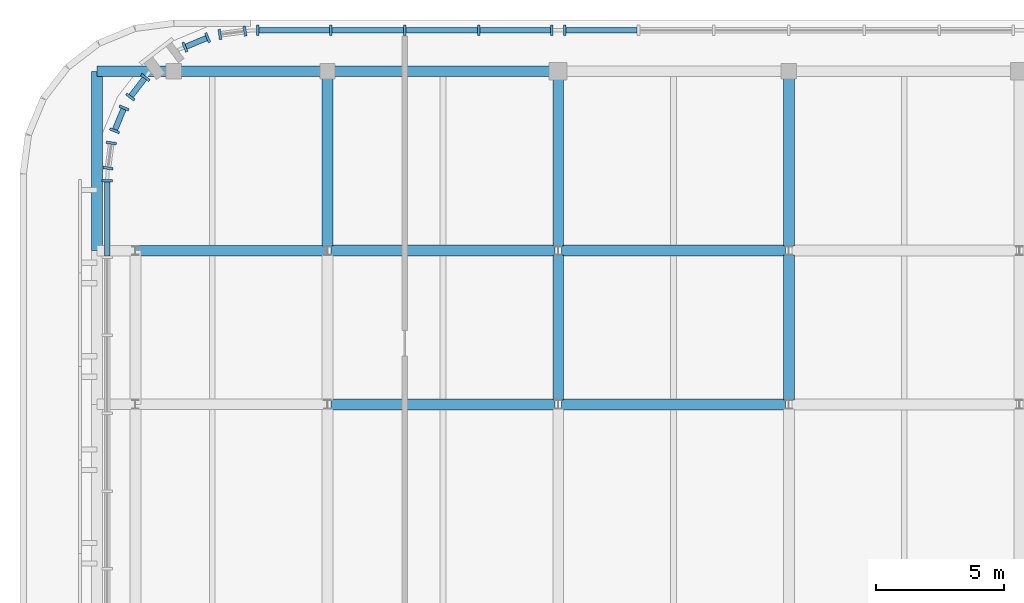
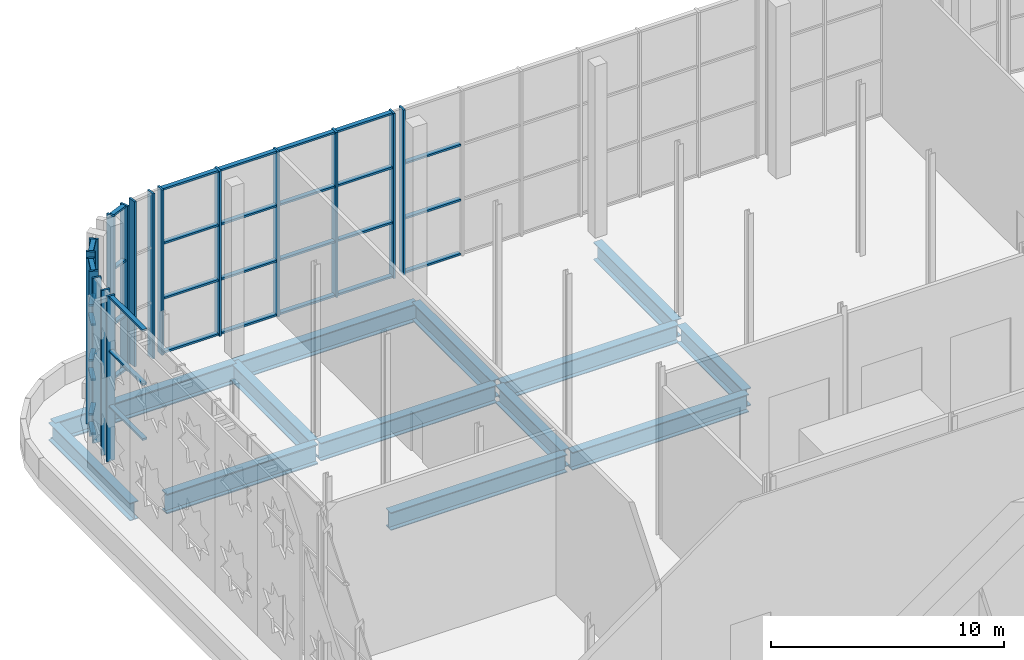
# One storey, part 12 of 26: 51 members, 14 beams, 8 elements without a shape of their own.
"""IFC4 building model written with IfcOpenShell, lengths in metres."""

from ifc_helpers import new_model, si_unit, direction, frame, origin, origin_2d, place, context, subcontext, project, spatial, rectangle, i_section, extrude, material, material_profile, profile_set, type_object, element, aggregate, save


model = new_model("IFC4")

# Units and contexts
model_context = context("Model", 3, precision=1e-05, world=origin(), true_north=direction((0.0, 1.0)))
body_context = subcontext(model_context, "Body", "Model", "MODEL_VIEW")
ifc_project = project(units=[si_unit("LENGTHUNIT", "METRE"), si_unit("AREAUNIT", "SQUARE_METRE"), si_unit("VOLUMEUNIT", "CUBIC_METRE"), si_unit("PLANEANGLEUNIT", "RADIAN"), si_unit("MASSUNIT", "GRAM", prefix="KILO")], contexts=[model_context])

# Site, building, storey
site_placement = place(None, origin())
site = spatial("IfcSite", under=ifc_project, at=site_placement, CompositionType="ELEMENT")
building_placement = place(site_placement, origin())
building = spatial("IfcBuilding", under=site, at=building_placement, Name="Zellij Exchange Tower", CompositionType="ELEMENT")
storey_placement = place(building_placement, frame((0.0, 0.0, 296.5)))
storey = spatial("IfcBuildingStorey", under=building, at=storey_placement, Name="L70", CompositionType="ELEMENT", Elevation=296.5)

# Curtain wall, member
ifc_material_1 = material(Name="Bronze anodised aluminium frame, bronze laminated glass", Category="aluminium")
curtain_wall_type = type_object("IfcCurtainWallType", Name="ENV-CW5 Damper-gallery glazing", PredefinedType="NOTDEFINED", material=ifc_material_1)
curtain_wall_1_placement = place(storey_placement, origin())
curtain_wall_1 = element("IfcCurtainWall", 1, at=curtain_wall_1_placement, inside=storey, type_object=curtain_wall_type, Name="cw.L70.11b", PredefinedType="NOTDEFINED")
ifc_material_2 = material(Name="Aluminium, bronze anodised", Category="aluminium")
ifc_material_profile_1 = material_profile(ifc_material_2, rectangle(XDim=0.10009765625, YDim=0.39990234375, at=origin_2d()), Name="AL 100x400")
ifc_profile_set_1 = profile_set([ifc_material_profile_1], Name="Aluminium, bronze anodised")
member_type_1 = type_object("IfcMemberType", Name="ENV-CW5M Mullion 100x400", PredefinedType="MULLION", material=ifc_profile_set_1)
member_1_placement = place(storey_placement, frame((-8.75, 36.60009765625, 0.0), z_axis=(0.0, 0.0, 1.0), x_axis=(-1.0, 0.0, 0.0)))
member_1 = element("IfcMember", 2, at=member_1_placement, type_object=member_type_1, Name="CW5 mullion 7", PredefinedType="MULLION", context=body_context, shape_type="SweptSolid", body=[
    extrude(rectangle(XDim=0.10009765625, YDim=0.39990234375, at=origin_2d()), origin(), (0.0, 0.0, 1.0), 8.64990234375),
])

# Curtain wall, members
curtain_wall_2_placement = place(storey_placement, origin())
curtain_wall_2 = element("IfcCurtainWall", 3, at=curtain_wall_2_placement, inside=storey, type_object=curtain_wall_type, Name="cw.L70.11c", PredefinedType="NOTDEFINED")
member_2_placement = place(storey_placement, frame((-9.25, 36.60009765625, 0.0), z_axis=(0.0, 0.0, 1.0), x_axis=(-1.0, 0.0, 0.0)))
member_2 = element("IfcMember", 4, at=member_2_placement, type_object=member_type_1, Name="CW5 mullion 1", PredefinedType="MULLION", context=body_context, shape_type="SweptSolid", body=[
    extrude(rectangle(XDim=0.10009765625, YDim=0.39990234375, at=origin_2d()), origin(), (0.0, 0.0, 1.0), 8.64990234375),
])
member_3_placement = place(storey_placement, frame((-12.093505859375, 36.60009765625, 0.0), z_axis=(0.0, 0.0, 1.0), x_axis=(-1.0, 0.0, 0.0)))
member_3 = element("IfcMember", 5, at=member_3_placement, type_object=member_type_1, Name="CW5 mullion 2", PredefinedType="MULLION", context=body_context, shape_type="SweptSolid", body=[
    extrude(rectangle(XDim=0.10009765625, YDim=0.39990234375, at=origin_2d()), origin(), (0.0, 0.0, 1.0), 8.64990234375),
])
member_4_placement = place(storey_placement, frame((-14.98681640625, 36.60009765625, 0.0), z_axis=(0.0, 0.0, 1.0), x_axis=(-1.0, 0.0, 0.0)))
member_4 = element("IfcMember", 6, at=member_4_placement, type_object=member_type_1, Name="CW5 mullion 3", PredefinedType="MULLION", context=body_context, shape_type="SweptSolid", body=[
    extrude(rectangle(XDim=0.10009765625, YDim=0.39990234375, at=origin_2d()), origin(), (0.0, 0.0, 1.0), 8.64990234375),
])
member_5_placement = place(storey_placement, frame((-17.88037109375, 36.60009765625, 0.0), z_axis=(0.0, 0.0, 1.0), x_axis=(-1.0, 0.0, 0.0)))
member_5 = element("IfcMember", 7, at=member_5_placement, type_object=member_type_1, Name="CW5 mullion 4", PredefinedType="MULLION", context=body_context, shape_type="SweptSolid", body=[
    extrude(rectangle(XDim=0.10009765625, YDim=0.39990234375, at=origin_2d()), origin(), (0.0, 0.0, 1.0), 8.64990234375),
])
member_6_placement = place(storey_placement, frame((-20.723876953125, 36.60009765625, 0.0), z_axis=(0.0, 0.0, 1.0), x_axis=(-1.0, 0.0, 0.0)))
member_6 = element("IfcMember", 8, at=member_6_placement, type_object=member_type_1, Name="CW5 mullion 5", PredefinedType="MULLION", context=body_context, shape_type="SweptSolid", body=[
    extrude(rectangle(XDim=0.10009765625, YDim=0.39990234375, at=origin_2d()), origin(), (0.0, 0.0, 1.0), 8.64990234375),
])

curtain_wall_3_placement = place(storey_placement, origin())
curtain_wall_3 = element("IfcCurtainWall", 9, at=curtain_wall_3_placement, inside=storey, type_object=curtain_wall_type, Name="cw.L70.12", PredefinedType="NOTDEFINED")
member_7_placement = place(storey_placement, frame((-21.2216796875, 36.5673828125, 0.0), z_axis=(0.0, 0.0, 1.0), x_axis=(-0.991448973532, -0.130494953476, 0.0)))
member_7 = element("IfcMember", 10, at=member_7_placement, type_object=member_type_1, Name="CW5 mullion 1", PredefinedType="MULLION", context=body_context, shape_type="SweptSolid", body=[
    extrude(rectangle(XDim=0.10009765625, YDim=0.39990234375, at=origin_2d()), origin(), (0.0, 0.0, 1.0), 8.64990234375),
])
member_8_placement = place(storey_placement, frame((-22.20068359375, 36.4384765625, 0.0), z_axis=(0.0, 0.0, 1.0), x_axis=(-0.991448973532, -0.130494953476, 0.0)))
member_8 = element("IfcMember", 11, at=member_8_placement, type_object=member_type_1, Name="CW5 mullion 2", PredefinedType="MULLION", context=body_context, shape_type="SweptSolid", body=[
    extrude(rectangle(XDim=0.10009765625, YDim=0.39990234375, at=origin_2d()), origin(), (0.0, 0.0, 1.0), 8.64990234375),
])
aggregate(curtain_wall_3, [member_7, member_8])

curtain_wall_4_placement = place(storey_placement, origin())
curtain_wall_4 = element("IfcCurtainWall", 12, at=curtain_wall_4_placement, inside=storey, type_object=curtain_wall_type, Name="cw.L70.13", PredefinedType="NOTDEFINED")
member_9_placement = place(storey_placement, frame((-22.679443359375, 36.310302734375, 0.0), z_axis=(0.0, 0.0, 1.0), x_axis=(-0.923850250318, -0.382754118186, 0.0)))
member_9 = element("IfcMember", 13, at=member_9_placement, type_object=member_type_1, Name="CW5 mullion 1", PredefinedType="MULLION", context=body_context, shape_type="SweptSolid", body=[
    extrude(rectangle(XDim=0.10009765625, YDim=0.39990234375, at=origin_2d()), origin(), (0.0, 0.0, 1.0), 8.64990234375),
])
member_10_placement = place(storey_placement, frame((-23.5673828125, 35.9423828125, 0.0), z_axis=(0.0, 0.0, 1.0), x_axis=(-0.923850250318, -0.382754118186, 0.0)))
member_10 = element("IfcMember", 14, at=member_10_placement, type_object=member_type_1, Name="CW5 mullion 2", PredefinedType="MULLION", context=body_context, shape_type="SweptSolid", body=[
    extrude(rectangle(XDim=0.10009765625, YDim=0.39990234375, at=origin_2d()), origin(), (0.0, 0.0, 1.0), 8.64990234375),
])

curtain_wall_5_placement = place(storey_placement, origin())
curtain_wall_5 = element("IfcCurtainWall", 15, at=curtain_wall_5_placement, inside=storey, type_object=curtain_wall_type, Name="cw.L70.15", PredefinedType="NOTDEFINED")
member_11_placement = place(storey_placement, frame((-25.109619140625, 34.759033203125, 0.0), z_axis=(0.0, 0.0, 1.0), x_axis=(-0.6087401576, -0.793369661964, 0.0)))
member_11 = element("IfcMember", 16, at=member_11_placement, type_object=member_type_1, Name="CW5 mullion 1", PredefinedType="MULLION", context=body_context, shape_type="SweptSolid", body=[
    extrude(rectangle(XDim=0.10009765625, YDim=0.39990234375, at=origin_2d()), origin(), (0.0, 0.0, 1.0), 8.64990234375),
])
member_12_placement = place(storey_placement, frame((-25.694580078125, 33.99658203125, 0.0), z_axis=(0.0, 0.0, 1.0), x_axis=(-0.6087401576, -0.793369661964, 0.0)))
member_12 = element("IfcMember", 17, at=member_12_placement, type_object=member_type_1, Name="CW5 mullion 2", PredefinedType="MULLION", context=body_context, shape_type="SweptSolid", body=[
    extrude(rectangle(XDim=0.10009765625, YDim=0.39990234375, at=origin_2d()), origin(), (0.0, 0.0, 1.0), 8.64990234375),
])

curtain_wall_6_placement = place(storey_placement, origin())
curtain_wall_6 = element("IfcCurtainWall", 18, at=curtain_wall_6_placement, inside=storey, type_object=curtain_wall_type, Name="cw.L70.16", PredefinedType="NOTDEFINED")
member_13_placement = place(storey_placement, frame((-25.9423828125, 33.5673828125, 0.0), z_axis=(0.0, 0.0, 1.0), x_axis=(-0.382754118186, -0.923850250318, 0.0)))
member_13 = element("IfcMember", 19, at=member_13_placement, type_object=member_type_1, Name="CW5 mullion 1", PredefinedType="MULLION", context=body_context, shape_type="SweptSolid", body=[
    extrude(rectangle(XDim=0.10009765625, YDim=0.39990234375, at=origin_2d()), origin(), (0.0, 0.0, 1.0), 8.64990234375),
])
member_14_placement = place(storey_placement, frame((-26.310302734375, 32.679443359375, 0.0), z_axis=(0.0, 0.0, 1.0), x_axis=(-0.382754118186, -0.923850250318, 0.0)))
member_14 = element("IfcMember", 20, at=member_14_placement, type_object=member_type_1, Name="CW5 mullion 2", PredefinedType="MULLION", context=body_context, shape_type="SweptSolid", body=[
    extrude(rectangle(XDim=0.10009765625, YDim=0.39990234375, at=origin_2d()), origin(), (0.0, 0.0, 1.0), 8.64990234375),
])

curtain_wall_7_placement = place(storey_placement, origin())
curtain_wall_7 = element("IfcCurtainWall", 21, at=curtain_wall_7_placement, inside=storey, type_object=curtain_wall_type, Name="cw.L70.17", PredefinedType="NOTDEFINED")
member_15_placement = place(storey_placement, frame((-26.4384765625, 32.20068359375, 0.0), z_axis=(0.0, 0.0, 1.0), x_axis=(-0.130494953476, -0.991448973532, 0.0)))
member_15 = element("IfcMember", 22, at=member_15_placement, type_object=member_type_1, Name="CW5 mullion 1", PredefinedType="MULLION", context=body_context, shape_type="SweptSolid", body=[
    extrude(rectangle(XDim=0.10009765625, YDim=0.39990234375, at=origin_2d()), origin(), (0.0, 0.0, 1.0), 8.64990234375),
])
member_16_placement = place(storey_placement, frame((-26.5673828125, 31.2216796875, 0.0), z_axis=(0.0, 0.0, 1.0), x_axis=(-0.130494953476, -0.991448973532, 0.0)))
member_16 = element("IfcMember", 23, at=member_16_placement, type_object=member_type_1, Name="CW5 mullion 2", PredefinedType="MULLION", context=body_context, shape_type="SweptSolid", body=[
    extrude(rectangle(XDim=0.10009765625, YDim=0.39990234375, at=origin_2d()), origin(), (0.0, 0.0, 1.0), 8.64990234375),
])
aggregate(curtain_wall_7, [member_15, member_16])

# Curtain wall, member
curtain_wall_8_placement = place(storey_placement, origin())
curtain_wall_8 = element("IfcCurtainWall", 24, at=curtain_wall_8_placement, inside=storey, type_object=curtain_wall_type, Name="cw.L70.18a", PredefinedType="NOTDEFINED")
member_17_placement = place(storey_placement, frame((-26.60009765625, 30.723876953125, 0.0), z_axis=(0.0, 0.0, 1.0), x_axis=(0.0, -1.0, 0.0)))
member_17 = element("IfcMember", 25, at=member_17_placement, type_object=member_type_1, Name="CW5 mullion 1", PredefinedType="MULLION", context=body_context, shape_type="SweptSolid", body=[
    extrude(rectangle(XDim=0.10009765625, YDim=0.39990234375, at=origin_2d()), origin(), (0.0, 0.0, 1.0), 8.64990234375),
])

# Member
ifc_material_profile_2 = material_profile(ifc_material_2, rectangle(XDim=0.219970703125, YDim=0.10009765625, at=origin_2d()), Name="AL 220x100")
ifc_profile_set_2 = profile_set([ifc_material_profile_2], Name="Aluminium, bronze anodised")
member_type_2 = type_object("IfcMemberType", Name="ENV-CW5T Transom 220x100", PredefinedType="USERDEFINED", material=ifc_profile_set_2)
member_18_placement = place(storey_placement, frame((-5.916748046875, 36.60009765625, 0.050048828125), z_axis=(-1.0, 0.0, 0.0), x_axis=(0.0, -1.0, 0.0)))
member_18 = element("IfcMember", 26, at=member_18_placement, type_object=member_type_2, Name="CW5 transom 6.1", ObjectType="TRANSOM", PredefinedType="USERDEFINED", context=body_context, shape_type="SweptSolid", body=[
    extrude(rectangle(XDim=0.219970703125, YDim=0.10009765625, at=origin_2d()), origin(), (0.0, 0.0, 1.0), 2.783203125),
])

member_19_placement = place(storey_placement, frame((-5.916748046875, 36.60009765625, 2.88330078125), z_axis=(-1.0, 0.0, 0.0), x_axis=(0.0, -1.0, 0.0)))
member_19 = element("IfcMember", 27, at=member_19_placement, type_object=member_type_2, Name="CW5 transom 6.2", ObjectType="TRANSOM", PredefinedType="USERDEFINED", context=body_context, shape_type="SweptSolid", body=[
    extrude(rectangle(XDim=0.219970703125, YDim=0.10009765625, at=origin_2d()), origin(), (0.0, 0.0, 1.0), 2.783203125),
])

member_20_placement = place(storey_placement, frame((-5.916748046875, 36.60009765625, 5.7666015625), z_axis=(-1.0, 0.0, 0.0), x_axis=(0.0, -1.0, 0.0)))
member_20 = element("IfcMember", 28, at=member_20_placement, type_object=member_type_2, Name="CW5 transom 6.3", ObjectType="TRANSOM", PredefinedType="USERDEFINED", context=body_context, shape_type="SweptSolid", body=[
    extrude(rectangle(XDim=0.219970703125, YDim=0.10009765625, at=origin_2d()), origin(), (0.0, 0.0, 1.0), 2.783203125),
])

aggregate(curtain_wall_1, [member_1, member_18, member_19, member_20])

member_21_placement = place(storey_placement, frame((-9.300048828125, 36.60009765625, 0.050048828125), z_axis=(-1.0, 0.0, 0.0), x_axis=(0.0, -1.0, 0.0)))
member_21 = element("IfcMember", 29, at=member_21_placement, type_object=member_type_2, Name="CW5 transom 1.1", ObjectType="TRANSOM", PredefinedType="USERDEFINED", context=body_context, shape_type="SweptSolid", body=[
    extrude(rectangle(XDim=0.219970703125, YDim=0.10009765625, at=origin_2d()), origin(), (0.0, 0.0, 1.0), 2.743408203125),
])

member_22_placement = place(storey_placement, frame((-9.300048828125, 36.60009765625, 2.88330078125), z_axis=(-1.0, 0.0, 0.0), x_axis=(0.0, -1.0, 0.0)))
member_22 = element("IfcMember", 30, at=member_22_placement, type_object=member_type_2, Name="CW5 transom 1.2", ObjectType="TRANSOM", PredefinedType="USERDEFINED", context=body_context, shape_type="SweptSolid", body=[
    extrude(rectangle(XDim=0.219970703125, YDim=0.10009765625, at=origin_2d()), origin(), (0.0, 0.0, 1.0), 2.743408203125),
])

member_23_placement = place(storey_placement, frame((-9.300048828125, 36.60009765625, 5.7666015625), z_axis=(-1.0, 0.0, 0.0), x_axis=(0.0, -1.0, 0.0)))
member_23 = element("IfcMember", 31, at=member_23_placement, type_object=member_type_2, Name="CW5 transom 1.3", ObjectType="TRANSOM", PredefinedType="USERDEFINED", context=body_context, shape_type="SweptSolid", body=[
    extrude(rectangle(XDim=0.219970703125, YDim=0.10009765625, at=origin_2d()), origin(), (0.0, 0.0, 1.0), 2.743408203125),
])

member_24_placement = place(storey_placement, frame((-9.300048828125, 36.60009765625, 8.60009765625), z_axis=(-1.0, 0.0, 0.0), x_axis=(0.0, -1.0, 0.0)))
member_24 = element("IfcMember", 32, at=member_24_placement, type_object=member_type_2, Name="CW5 transom 1.4", ObjectType="TRANSOM", PredefinedType="USERDEFINED", context=body_context, shape_type="SweptSolid", body=[
    extrude(rectangle(XDim=0.219970703125, YDim=0.10009765625, at=origin_2d()), origin(), (0.0, 0.0, 1.0), 2.743408203125),
])

member_25_placement = place(storey_placement, frame((-12.1435546875, 36.60009765625, 0.050048828125), z_axis=(-1.0, 0.0, 0.0), x_axis=(0.0, -1.0, 0.0)))
member_25 = element("IfcMember", 33, at=member_25_placement, type_object=member_type_2, Name="CW5 transom 2.1", ObjectType="TRANSOM", PredefinedType="USERDEFINED", context=body_context, shape_type="SweptSolid", body=[
    extrude(rectangle(XDim=0.219970703125, YDim=0.10009765625, at=origin_2d()), origin(), (0.0, 0.0, 1.0), 2.79345703125),
])

member_26_placement = place(storey_placement, frame((-12.1435546875, 36.60009765625, 2.88330078125), z_axis=(-1.0, 0.0, 0.0), x_axis=(0.0, -1.0, 0.0)))
member_26 = element("IfcMember", 34, at=member_26_placement, type_object=member_type_2, Name="CW5 transom 2.2", ObjectType="TRANSOM", PredefinedType="USERDEFINED", context=body_context, shape_type="SweptSolid", body=[
    extrude(rectangle(XDim=0.219970703125, YDim=0.10009765625, at=origin_2d()), origin(), (0.0, 0.0, 1.0), 2.79345703125),
])

member_27_placement = place(storey_placement, frame((-12.1435546875, 36.60009765625, 5.7666015625), z_axis=(-1.0, 0.0, 0.0), x_axis=(0.0, -1.0, 0.0)))
member_27 = element("IfcMember", 35, at=member_27_placement, type_object=member_type_2, Name="CW5 transom 2.3", ObjectType="TRANSOM", PredefinedType="USERDEFINED", context=body_context, shape_type="SweptSolid", body=[
    extrude(rectangle(XDim=0.219970703125, YDim=0.10009765625, at=origin_2d()), origin(), (0.0, 0.0, 1.0), 2.79345703125),
])

member_28_placement = place(storey_placement, frame((-12.1435546875, 36.60009765625, 8.60009765625), z_axis=(-1.0, 0.0, 0.0), x_axis=(0.0, -1.0, 0.0)))
member_28 = element("IfcMember", 36, at=member_28_placement, type_object=member_type_2, Name="CW5 transom 2.4", ObjectType="TRANSOM", PredefinedType="USERDEFINED", context=body_context, shape_type="SweptSolid", body=[
    extrude(rectangle(XDim=0.219970703125, YDim=0.10009765625, at=origin_2d()), origin(), (0.0, 0.0, 1.0), 2.79345703125),
])

member_29_placement = place(storey_placement, frame((-15.036865234375, 36.60009765625, 0.050048828125), z_axis=(-1.0, 0.0, 0.0), x_axis=(0.0, -1.0, 0.0)))
member_29 = element("IfcMember", 37, at=member_29_placement, type_object=member_type_2, Name="CW5 transom 3.1", ObjectType="TRANSOM", PredefinedType="USERDEFINED", context=body_context, shape_type="SweptSolid", body=[
    extrude(rectangle(XDim=0.219970703125, YDim=0.10009765625, at=origin_2d()), origin(), (0.0, 0.0, 1.0), 2.79345703125),
])

member_30_placement = place(storey_placement, frame((-15.036865234375, 36.60009765625, 2.88330078125), z_axis=(-1.0, 0.0, 0.0), x_axis=(0.0, -1.0, 0.0)))
member_30 = element("IfcMember", 38, at=member_30_placement, type_object=member_type_2, Name="CW5 transom 3.2", ObjectType="TRANSOM", PredefinedType="USERDEFINED", context=body_context, shape_type="SweptSolid", body=[
    extrude(rectangle(XDim=0.219970703125, YDim=0.10009765625, at=origin_2d()), origin(), (0.0, 0.0, 1.0), 2.79345703125),
])

member_31_placement = place(storey_placement, frame((-15.036865234375, 36.60009765625, 5.7666015625), z_axis=(-1.0, 0.0, 0.0), x_axis=(0.0, -1.0, 0.0)))
member_31 = element("IfcMember", 39, at=member_31_placement, type_object=member_type_2, Name="CW5 transom 3.3", ObjectType="TRANSOM", PredefinedType="USERDEFINED", context=body_context, shape_type="SweptSolid", body=[
    extrude(rectangle(XDim=0.219970703125, YDim=0.10009765625, at=origin_2d()), origin(), (0.0, 0.0, 1.0), 2.79345703125),
])

member_32_placement = place(storey_placement, frame((-15.036865234375, 36.60009765625, 8.60009765625), z_axis=(-1.0, 0.0, 0.0), x_axis=(0.0, -1.0, 0.0)))
member_32 = element("IfcMember", 40, at=member_32_placement, type_object=member_type_2, Name="CW5 transom 3.4", ObjectType="TRANSOM", PredefinedType="USERDEFINED", context=body_context, shape_type="SweptSolid", body=[
    extrude(rectangle(XDim=0.219970703125, YDim=0.10009765625, at=origin_2d()), origin(), (0.0, 0.0, 1.0), 2.79345703125),
])

member_33_placement = place(storey_placement, frame((-17.930419921875, 36.60009765625, 0.050048828125), z_axis=(-1.0, 0.0, 0.0), x_axis=(0.0, -1.0, 0.0)))
member_33 = element("IfcMember", 41, at=member_33_placement, type_object=member_type_2, Name="CW5 transom 4.1", ObjectType="TRANSOM", PredefinedType="USERDEFINED", context=body_context, shape_type="SweptSolid", body=[
    extrude(rectangle(XDim=0.219970703125, YDim=0.10009765625, at=origin_2d()), origin(), (0.0, 0.0, 1.0), 2.743408203125),
])

member_34_placement = place(storey_placement, frame((-17.930419921875, 36.60009765625, 2.88330078125), z_axis=(-1.0, 0.0, 0.0), x_axis=(0.0, -1.0, 0.0)))
member_34 = element("IfcMember", 42, at=member_34_placement, type_object=member_type_2, Name="CW5 transom 4.2", ObjectType="TRANSOM", PredefinedType="USERDEFINED", context=body_context, shape_type="SweptSolid", body=[
    extrude(rectangle(XDim=0.219970703125, YDim=0.10009765625, at=origin_2d()), origin(), (0.0, 0.0, 1.0), 2.743408203125),
])

member_35_placement = place(storey_placement, frame((-17.930419921875, 36.60009765625, 5.7666015625), z_axis=(-1.0, 0.0, 0.0), x_axis=(0.0, -1.0, 0.0)))
member_35 = element("IfcMember", 43, at=member_35_placement, type_object=member_type_2, Name="CW5 transom 4.3", ObjectType="TRANSOM", PredefinedType="USERDEFINED", context=body_context, shape_type="SweptSolid", body=[
    extrude(rectangle(XDim=0.219970703125, YDim=0.10009765625, at=origin_2d()), origin(), (0.0, 0.0, 1.0), 2.743408203125),
])

member_36_placement = place(storey_placement, frame((-17.930419921875, 36.60009765625, 8.60009765625), z_axis=(-1.0, 0.0, 0.0), x_axis=(0.0, -1.0, 0.0)))
member_36 = element("IfcMember", 44, at=member_36_placement, type_object=member_type_2, Name="CW5 transom 4.4", ObjectType="TRANSOM", PredefinedType="USERDEFINED", context=body_context, shape_type="SweptSolid", body=[
    extrude(rectangle(XDim=0.219970703125, YDim=0.10009765625, at=origin_2d()), origin(), (0.0, 0.0, 1.0), 2.743408203125),
])

aggregate(curtain_wall_2, [member_2, member_3, member_4, member_5, member_6, member_21, member_22, member_23, member_24, member_25, member_26, member_27, member_28, member_29, member_30, member_31, member_32, member_33, member_34, member_35, member_36])

member_37_placement = place(storey_placement, frame((-22.7255859375, 36.291015625, 0.050048828125), z_axis=(-0.923930436798, -0.382560515421, 0.0), x_axis=(0.382560515421, -0.923930436798, 0.0)))
member_37 = element("IfcMember", 45, at=member_37_placement, type_object=member_type_2, Name="CW5 transom 1.1", ObjectType="TRANSOM", PredefinedType="USERDEFINED", context=body_context, shape_type="SweptSolid", body=[
    extrude(rectangle(XDim=0.219970703125, YDim=0.10009765625, at=origin_2d()), origin(), (0.0, 0.0, 1.0), 0.86083984375),
])

member_38_placement = place(storey_placement, frame((-22.7255859375, 36.291015625, 2.88330078125), z_axis=(-0.923930436798, -0.382560515421, 0.0), x_axis=(0.382560515421, -0.923930436798, 0.0)))
member_38 = element("IfcMember", 46, at=member_38_placement, type_object=member_type_2, Name="CW5 transom 1.2", ObjectType="TRANSOM", PredefinedType="USERDEFINED", context=body_context, shape_type="SweptSolid", body=[
    extrude(rectangle(XDim=0.219970703125, YDim=0.10009765625, at=origin_2d()), origin(), (0.0, 0.0, 1.0), 0.86083984375),
])

member_39_placement = place(storey_placement, frame((-22.7255859375, 36.291015625, 5.7666015625), z_axis=(-0.923930436798, -0.382560515421, 0.0), x_axis=(0.382560515421, -0.923930436798, 0.0)))
member_39 = element("IfcMember", 47, at=member_39_placement, type_object=member_type_2, Name="CW5 transom 1.3", ObjectType="TRANSOM", PredefinedType="USERDEFINED", context=body_context, shape_type="SweptSolid", body=[
    extrude(rectangle(XDim=0.219970703125, YDim=0.10009765625, at=origin_2d()), origin(), (0.0, 0.0, 1.0), 0.86083984375),
])

member_40_placement = place(storey_placement, frame((-22.7255859375, 36.291015625, 8.60009765625), z_axis=(-0.923930436798, -0.382560515421, 0.0), x_axis=(0.382560515421, -0.923930436798, 0.0)))
member_40 = element("IfcMember", 48, at=member_40_placement, type_object=member_type_2, Name="CW5 transom 1.4", ObjectType="TRANSOM", PredefinedType="USERDEFINED", context=body_context, shape_type="SweptSolid", body=[
    extrude(rectangle(XDim=0.219970703125, YDim=0.10009765625, at=origin_2d()), origin(), (0.0, 0.0, 1.0), 0.86083984375),
])

aggregate(curtain_wall_4, [member_9, member_10, member_37, member_38, member_39, member_40])

member_41_placement = place(storey_placement, frame((-25.139892578125, 34.719482421875, 0.050048828125), z_axis=(-0.608627916573, -0.793455770139, 0.0), x_axis=(0.793455770139, -0.608627916573, 0.0)))
member_41 = element("IfcMember", 49, at=member_41_placement, type_object=member_type_2, Name="CW5 transom 1.1", ObjectType="TRANSOM", PredefinedType="USERDEFINED", context=body_context, shape_type="SweptSolid", body=[
    extrude(rectangle(XDim=0.219970703125, YDim=0.10009765625, at=origin_2d()), origin(), (0.0, 0.0, 1.0), 0.861328125),
])

member_42_placement = place(storey_placement, frame((-25.139892578125, 34.719482421875, 2.88330078125), z_axis=(-0.608627916573, -0.793455770139, 0.0), x_axis=(0.793455770139, -0.608627916573, 0.0)))
member_42 = element("IfcMember", 50, at=member_42_placement, type_object=member_type_2, Name="CW5 transom 1.2", ObjectType="TRANSOM", PredefinedType="USERDEFINED", context=body_context, shape_type="SweptSolid", body=[
    extrude(rectangle(XDim=0.219970703125, YDim=0.10009765625, at=origin_2d()), origin(), (0.0, 0.0, 1.0), 0.861328125),
])

member_43_placement = place(storey_placement, frame((-25.139892578125, 34.719482421875, 5.7666015625), z_axis=(-0.608627916573, -0.793455770139, 0.0), x_axis=(0.793455770139, -0.608627916573, 0.0)))
member_43 = element("IfcMember", 51, at=member_43_placement, type_object=member_type_2, Name="CW5 transom 1.3", ObjectType="TRANSOM", PredefinedType="USERDEFINED", context=body_context, shape_type="SweptSolid", body=[
    extrude(rectangle(XDim=0.219970703125, YDim=0.10009765625, at=origin_2d()), origin(), (0.0, 0.0, 1.0), 0.861328125),
])

member_44_placement = place(storey_placement, frame((-25.139892578125, 34.719482421875, 8.60009765625), z_axis=(-0.608627916573, -0.793455770139, 0.0), x_axis=(0.793455770139, -0.608627916573, 0.0)))
member_44 = element("IfcMember", 52, at=member_44_placement, type_object=member_type_2, Name="CW5 transom 1.4", ObjectType="TRANSOM", PredefinedType="USERDEFINED", context=body_context, shape_type="SweptSolid", body=[
    extrude(rectangle(XDim=0.219970703125, YDim=0.10009765625, at=origin_2d()), origin(), (0.0, 0.0, 1.0), 0.861328125),
])

aggregate(curtain_wall_5, [member_11, member_12, member_41, member_42, member_43, member_44])

member_45_placement = place(storey_placement, frame((-25.961669921875, 33.52099609375, 0.050048828125), z_axis=(-0.382560515421, -0.923930436798, 0.0), x_axis=(0.923930436798, -0.382560515421, 0.0)))
member_45 = element("IfcMember", 53, at=member_45_placement, type_object=member_type_2, Name="CW5 transom 1.1", ObjectType="TRANSOM", PredefinedType="USERDEFINED", context=body_context, shape_type="SweptSolid", body=[
    extrude(rectangle(XDim=0.219970703125, YDim=0.10009765625, at=origin_2d()), origin(), (0.0, 0.0, 1.0), 0.86083984375),
])

member_46_placement = place(storey_placement, frame((-25.961669921875, 33.52099609375, 2.88330078125), z_axis=(-0.382560515421, -0.923930436798, 0.0), x_axis=(0.923930436798, -0.382560515421, 0.0)))
member_46 = element("IfcMember", 54, at=member_46_placement, type_object=member_type_2, Name="CW5 transom 1.2", ObjectType="TRANSOM", PredefinedType="USERDEFINED", context=body_context, shape_type="SweptSolid", body=[
    extrude(rectangle(XDim=0.219970703125, YDim=0.10009765625, at=origin_2d()), origin(), (0.0, 0.0, 1.0), 0.86083984375),
])

member_47_placement = place(storey_placement, frame((-25.961669921875, 33.52099609375, 5.7666015625), z_axis=(-0.382560515421, -0.923930436798, 0.0), x_axis=(0.923930436798, -0.382560515421, 0.0)))
member_47 = element("IfcMember", 55, at=member_47_placement, type_object=member_type_2, Name="CW5 transom 1.3", ObjectType="TRANSOM", PredefinedType="USERDEFINED", context=body_context, shape_type="SweptSolid", body=[
    extrude(rectangle(XDim=0.219970703125, YDim=0.10009765625, at=origin_2d()), origin(), (0.0, 0.0, 1.0), 0.86083984375),
])

member_48_placement = place(storey_placement, frame((-25.961669921875, 33.52099609375, 8.60009765625), z_axis=(-0.382560515421, -0.923930436798, 0.0), x_axis=(0.923930436798, -0.382560515421, 0.0)))
member_48 = element("IfcMember", 56, at=member_48_placement, type_object=member_type_2, Name="CW5 transom 1.4", ObjectType="TRANSOM", PredefinedType="USERDEFINED", context=body_context, shape_type="SweptSolid", body=[
    extrude(rectangle(XDim=0.219970703125, YDim=0.10009765625, at=origin_2d()), origin(), (0.0, 0.0, 1.0), 0.86083984375),
])

aggregate(curtain_wall_6, [member_13, member_14, member_45, member_46, member_47, member_48])

member_49_placement = place(storey_placement, frame((-26.60009765625, 30.673828125, 2.88330078125), z_axis=(0.0, -1.0, 0.0), x_axis=(1.0, 0.0, 0.0)))
member_49 = element("IfcMember", 57, at=member_49_placement, type_object=member_type_2, Name="CW5 transom 1.2", ObjectType="TRANSOM", PredefinedType="USERDEFINED", context=body_context, shape_type="SweptSolid", body=[
    extrude(rectangle(XDim=0.219970703125, YDim=0.10009765625, at=origin_2d()), origin(), (0.0, 0.0, 1.0), 2.888671875),
])

member_50_placement = place(storey_placement, frame((-26.60009765625, 30.673828125, 5.7666015625), z_axis=(0.0, -1.0, 0.0), x_axis=(1.0, 0.0, 0.0)))
member_50 = element("IfcMember", 58, at=member_50_placement, type_object=member_type_2, Name="CW5 transom 1.3", ObjectType="TRANSOM", PredefinedType="USERDEFINED", context=body_context, shape_type="SweptSolid", body=[
    extrude(rectangle(XDim=0.219970703125, YDim=0.10009765625, at=origin_2d()), origin(), (0.0, 0.0, 1.0), 2.888671875),
])

member_51_placement = place(storey_placement, frame((-26.60009765625, 30.673828125, 8.60009765625), z_axis=(0.0, -1.0, 0.0), x_axis=(1.0, 0.0, 0.0)))
member_51 = element("IfcMember", 59, at=member_51_placement, type_object=member_type_2, Name="CW5 transom 1.4", ObjectType="TRANSOM", PredefinedType="USERDEFINED", context=body_context, shape_type="SweptSolid", body=[
    extrude(rectangle(XDim=0.219970703125, YDim=0.10009765625, at=origin_2d()), origin(), (0.0, 0.0, 1.0), 2.888671875),
])

aggregate(curtain_wall_8, [member_17, member_49, member_50, member_51])

# Beams
ifc_material_3 = material(Name="Structural steel ASTM A913 Gr 65", Category="steel")
ifc_material_profile_3 = material_profile(ifc_material_3, i_section(OverallWidth=0.424072265625, OverallDepth=0.93212890625, WebThickness=0.02392578125, FlangeThickness=0.042724609375, at=origin_2d()), Name="W36x300")
ifc_profile_set_3 = profile_set([ifc_material_profile_3], Name="Structural steel ASTM A913 Gr 65")
beam_type_1 = type_object("IfcBeamType", Name="STR-GIRDER W36x300", PredefinedType="BEAM", material=ifc_profile_set_3)
for number, where, z_axis, x_axis, name in (
    (60, (-17.873046875, 22.0, -0.8662109375), (1.0, 0.0, 0.0), (0.0, 1.0, 0.0), "G5"),
    (61, (-8.873046875, 22.0, -0.8662109375), (1.0, 0.0, 0.0), (0.0, 1.0, 0.0), "G5"),
    (62, (-17.873046875, 28.0, -0.8662109375), (1.0, 0.0, 0.0), (0.0, 1.0, 0.0), "G5"),
    (63, (-8.873046875, 28.0, -0.8662109375), (1.0, 0.0, 0.0), (0.0, 1.0, 0.0), "G5"),
):
    element("IfcBeam", number, at=place(storey_placement, frame(where, z_axis=z_axis, x_axis=x_axis)), inside=storey, type_object=beam_type_1, Name=name, PredefinedType="BEAM", context=body_context, shape_type="SweptSolid", body=[
        extrude(i_section(OverallWidth=0.424072265625, OverallDepth=0.93212890625, WebThickness=0.02392578125, FlangeThickness=0.042724609375, at=origin_2d()), origin(), (0.0, 0.0, 1.0), 8.74609375),
    ])
beam_1_placement = place(storey_placement, frame((-18.0, 35.0, -0.8662109375), z_axis=(1.0, 0.0, 0.0), x_axis=(0.0, 1.0, 0.0)))
element("IfcBeam", 64, at=beam_1_placement, inside=storey, type_object=beam_type_1, Name="G5", PredefinedType="BEAM", context=body_context, shape_type="SweptSolid", body=[
    extrude(i_section(OverallWidth=0.424072265625, OverallDepth=0.93212890625, WebThickness=0.02392578125, FlangeThickness=0.042724609375, at=origin_2d()), origin(), (0.0, 0.0, 1.0), 9.0),
])
beam_2_placement = place(storey_placement, frame((-27.0, 28.0, -0.8662109375), z_axis=(0.0, 1.0, 0.0), x_axis=(-1.0, 0.0, 0.0)))
element("IfcBeam", 65, at=beam_2_placement, inside=storey, type_object=beam_type_1, Name="G5", PredefinedType="BEAM", context=body_context, shape_type="SweptSolid", body=[
    extrude(i_section(OverallWidth=0.424072265625, OverallDepth=0.93212890625, WebThickness=0.02392578125, FlangeThickness=0.042724609375, at=origin_2d()), origin(), (0.0, 0.0, 1.0), 7.0),
])
beam_3_placement = place(storey_placement, frame((-18.0, 28.176513671875, -0.8662109375), z_axis=(0.0, 1.0, 0.0), x_axis=(-1.0, 0.0, 0.0)))
element("IfcBeam", 66, at=beam_3_placement, inside=storey, type_object=beam_type_1, Name="G5", PredefinedType="BEAM", context=body_context, shape_type="SweptSolid", body=[
    extrude(i_section(OverallWidth=0.424072265625, OverallDepth=0.93212890625, WebThickness=0.02392578125, FlangeThickness=0.042724609375, at=origin_2d()), origin(), (0.0, 0.0, 1.0), 6.823486328125),
])
beam_4_placement = place(storey_placement, frame((-9.0, 22.176513671875, -0.8662109375), z_axis=(0.0, 1.0, 0.0), x_axis=(-1.0, 0.0, 0.0)))
element("IfcBeam", 67, at=beam_4_placement, inside=storey, type_object=beam_type_1, Name="G5", PredefinedType="BEAM", context=body_context, shape_type="SweptSolid", body=[
    extrude(i_section(OverallWidth=0.424072265625, OverallDepth=0.93212890625, WebThickness=0.02392578125, FlangeThickness=0.042724609375, at=origin_2d()), origin(), (0.0, 0.0, 1.0), 5.64697265625),
])
beam_5_placement = place(storey_placement, frame((-9.0, 28.176513671875, -0.8662109375), z_axis=(0.0, 1.0, 0.0), x_axis=(-1.0, 0.0, 0.0)))
element("IfcBeam", 68, at=beam_5_placement, inside=storey, type_object=beam_type_1, Name="G5", PredefinedType="BEAM", context=body_context, shape_type="SweptSolid", body=[
    extrude(i_section(OverallWidth=0.424072265625, OverallDepth=0.93212890625, WebThickness=0.02392578125, FlangeThickness=0.042724609375, at=origin_2d()), origin(), (0.0, 0.0, 1.0), 6.823486328125),
])
beam_6_placement = place(storey_placement, frame((0.0, 22.176513671875, -0.8662109375), z_axis=(0.0, 1.0, 0.0), x_axis=(-1.0, 0.0, 0.0)))
element("IfcBeam", 69, at=beam_6_placement, inside=storey, type_object=beam_type_1, Name="G5", PredefinedType="BEAM", context=body_context, shape_type="SweptSolid", body=[
    extrude(i_section(OverallWidth=0.424072265625, OverallDepth=0.93212890625, WebThickness=0.02392578125, FlangeThickness=0.042724609375, at=origin_2d()), origin(), (0.0, 0.0, 1.0), 5.64697265625),
])
beam_7_placement = place(storey_placement, frame((0.0, 28.176513671875, -0.8662109375), z_axis=(0.0, 1.0, 0.0), x_axis=(-1.0, 0.0, 0.0)))
element("IfcBeam", 70, at=beam_7_placement, inside=storey, type_object=beam_type_1, Name="G5", PredefinedType="BEAM", context=body_context, shape_type="SweptSolid", body=[
    extrude(i_section(OverallWidth=0.424072265625, OverallDepth=0.93212890625, WebThickness=0.02392578125, FlangeThickness=0.042724609375, at=origin_2d()), origin(), (0.0, 0.0, 1.0), 6.823486328125),
])
ifc_material_profile_4 = material_profile(ifc_material_3, i_section(OverallWidth=0.408935546875, OverallDepth=1.04150390625, WebThickness=0.031005859375, FlangeThickness=0.055908203125, at=origin_2d()), Name="W40x397")
ifc_profile_set_4 = profile_set([ifc_material_profile_4], Name="Structural steel ASTM A913 Gr 65")
beam_type_2 = type_object("IfcBeamType", Name="STR-TRANSFER GIRDER W40x397", PredefinedType="BEAM", material=ifc_profile_set_4)
beam_8_placement = place(storey_placement, frame((-25.5, 28.0, -0.920654296875), z_axis=(1.0, 0.0, 0.0), x_axis=(0.0, 1.0, 0.0)))
element("IfcBeam", 71, at=beam_8_placement, inside=storey, type_object=beam_type_2, Name="TG6", PredefinedType="BEAM", context=body_context, shape_type="SweptSolid", body=[
    extrude(i_section(OverallWidth=0.408935546875, OverallDepth=1.04150390625, WebThickness=0.031005859375, FlangeThickness=0.055908203125, at=origin_2d()), origin(), (0.0, 0.0, 1.0), 7.5),
])
beam_9_placement = place(storey_placement, frame((-27.0, 35.0, -0.920654296875), z_axis=(1.0, 0.0, 0.0), x_axis=(0.0, 1.0, 0.0)))
element("IfcBeam", 72, at=beam_9_placement, inside=storey, type_object=beam_type_2, Name="TG6", PredefinedType="BEAM", context=body_context, shape_type="SweptSolid", body=[
    extrude(i_section(OverallWidth=0.408935546875, OverallDepth=1.04150390625, WebThickness=0.031005859375, FlangeThickness=0.055908203125, at=origin_2d()), origin(), (0.0, 0.0, 1.0), 3.0),
])
beam_10_placement = place(storey_placement, frame((-24.0, 35.0, -0.920654296875), z_axis=(1.0, 0.0, 0.0), x_axis=(0.0, 1.0, 0.0)))
element("IfcBeam", 73, at=beam_10_placement, inside=storey, type_object=beam_type_2, Name="TG6", PredefinedType="BEAM", context=body_context, shape_type="SweptSolid", body=[
    extrude(i_section(OverallWidth=0.408935546875, OverallDepth=1.04150390625, WebThickness=0.031005859375, FlangeThickness=0.055908203125, at=origin_2d()), origin(), (0.0, 0.0, 1.0), 6.0),
])

save(model, "model.ifc")
